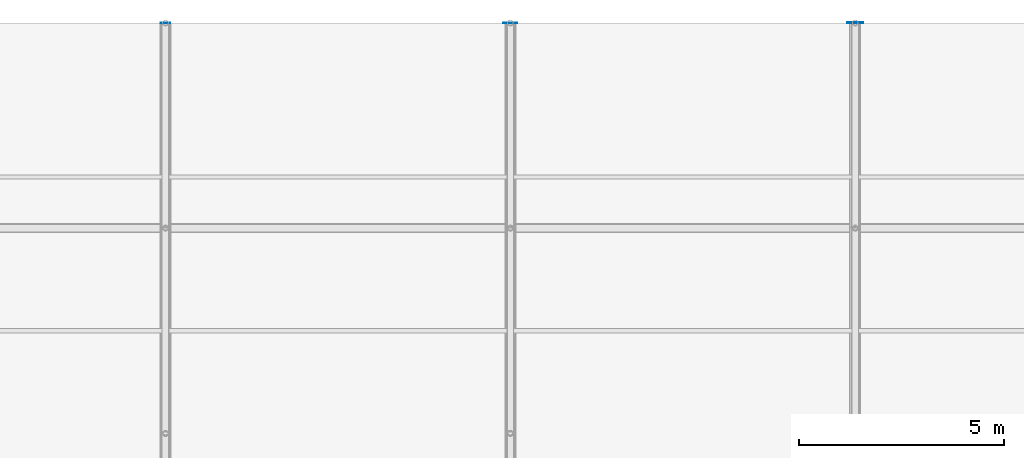
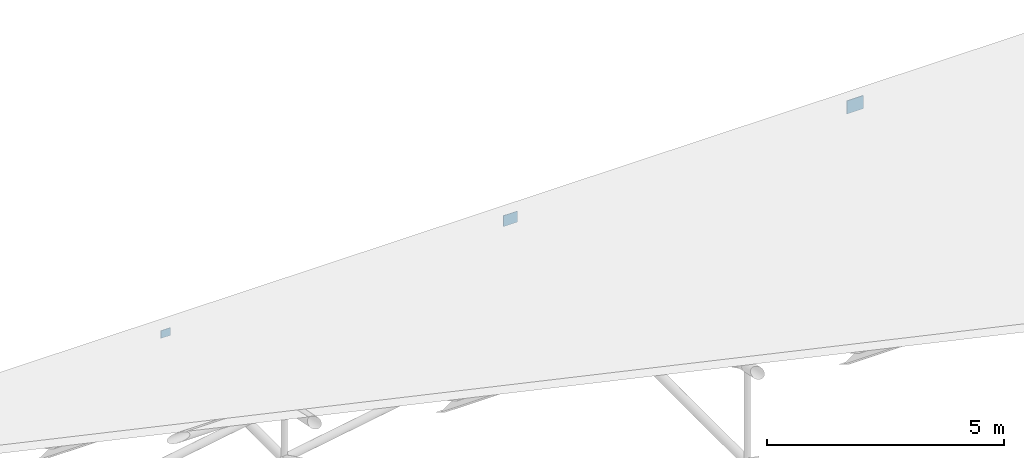
# One storey, part 190 of 194: 3 plates.
"""IFC4 building model written with IfcOpenShell, lengths in metres."""

from ifc_helpers import new_model, si_unit, direction, frame, origin, origin_2d, place, context, subcontext, project, spatial, rectangle, extrude, material, layer, layer_set, type_object, element, save


model = new_model("IFC4")

# Units and contexts
model_context = context("Model", 3, precision=1e-05, world=origin(), true_north=direction((0.0, 1.0)))
body_context = subcontext(model_context, "Body", "Model", "MODEL_VIEW")
ifc_project = project(units=[si_unit("LENGTHUNIT", "METRE"), si_unit("AREAUNIT", "SQUARE_METRE"), si_unit("VOLUMEUNIT", "CUBIC_METRE"), si_unit("PLANEANGLEUNIT", "RADIAN"), si_unit("MASSUNIT", "GRAM", prefix="KILO")], contexts=[model_context])

# Site, building, storey
site_placement = place(None, origin())
site = spatial("IfcSite", under=ifc_project, at=site_placement, CompositionType="ELEMENT")
building_placement = place(site_placement, origin())
building = spatial("IfcBuilding", under=site, at=building_placement, Name="Kazenagashi Tramway Depot", CompositionType="ELEMENT")
storey_placement = place(building_placement, frame((0.0, 0.0, 23.7)))
storey = spatial("IfcBuildingStorey", under=building, at=storey_placement, Name="ROOF", CompositionType="ELEMENT", Elevation=23.7)

# Plates
ifc_material = material(Name="Steel STK490", Category="steel")
ifc_layer_1 = layer(ifc_material, 0.012)
ifc_layer_set_1 = layer_set([ifc_layer_1], Name="Steel STK490")
plate_type_1 = type_object("IfcPlateType", Name="EC-08", PredefinedType="USERDEFINED", material=ifc_layer_set_1)
plate_1_placement = place(storey_placement, frame((145.6, 130.0, -14.0), z_axis=(0.0, 0.0, 1.0), x_axis=(1.0, 0.0, 0.0)))
element("IfcPlate", 1, at=plate_1_placement, inside=storey, type_object=plate_type_1, Name="Structural Node Plate EC-08 PLT-0052", ObjectType="END CAP PLATE", PredefinedType="USERDEFINED", context=body_context, shape_type="SweptSolid", body=[
    extrude(rectangle(XDim=0.24, YDim=0.012, at=origin_2d()), origin(), (0.0, 0.0, 1.0), 0.2),
])
ifc_layer_2 = layer(ifc_material, 0.015)
ifc_layer_set_2 = layer_set([ifc_layer_2], Name="Steel STK490")
plate_type_2 = type_object("IfcPlateType", Name="EC-09", PredefinedType="USERDEFINED", material=ifc_layer_set_2)
plate_2_placement = place(storey_placement, frame((154.0, 130.0, -14.04), z_axis=(0.0, 0.0, 1.0), x_axis=(1.0, 0.0, 0.0)))
element("IfcPlate", 2, at=plate_2_placement, inside=storey, type_object=plate_type_2, Name="Structural Node Plate EC-09 PLT-0056", ObjectType="END CAP PLATE", PredefinedType="USERDEFINED", context=body_context, shape_type="SweptSolid", body=[
    extrude(rectangle(XDim=0.34, YDim=0.015, at=origin_2d()), origin(), (0.0, 0.0, 1.0), 0.28),
])
ifc_layer_3 = layer(ifc_material, 0.018)
ifc_layer_set_3 = layer_set([ifc_layer_3], Name="Steel STK490")
plate_type_3 = type_object("IfcPlateType", Name="EC-10", PredefinedType="USERDEFINED", material=ifc_layer_set_3)
plate_3_placement = place(storey_placement, frame((162.4, 130.0, -14.07), z_axis=(0.0, 0.0, 1.0), x_axis=(1.0, 0.0, 0.0)))
element("IfcPlate", 3, at=plate_3_placement, inside=storey, type_object=plate_type_3, Name="Structural Node Plate EC-10 PLT-0060", ObjectType="END CAP PLATE", PredefinedType="USERDEFINED", context=body_context, shape_type="SweptSolid", body=[
    extrude(rectangle(XDim=0.4, YDim=0.018, at=origin_2d()), origin(), (0.0, 0.0, 1.0), 0.34),
])

save(model, "model.ifc")
